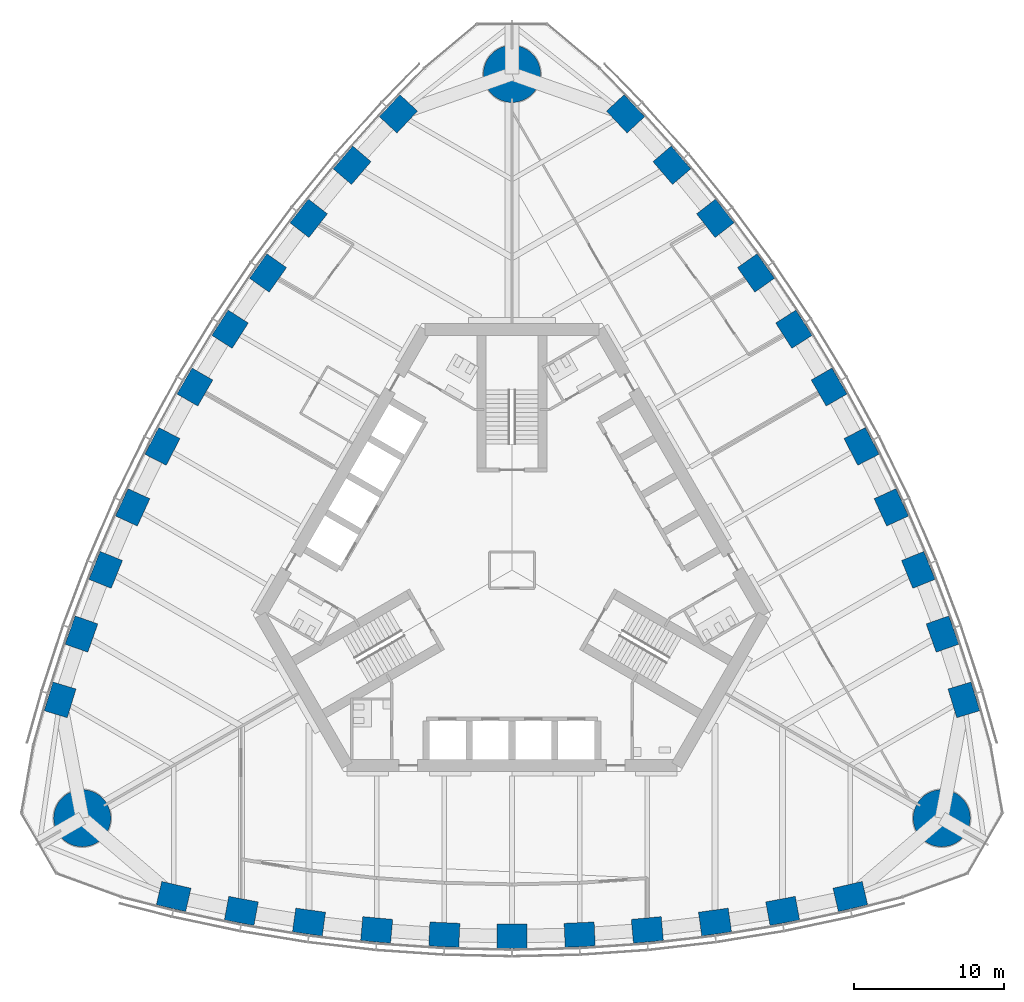
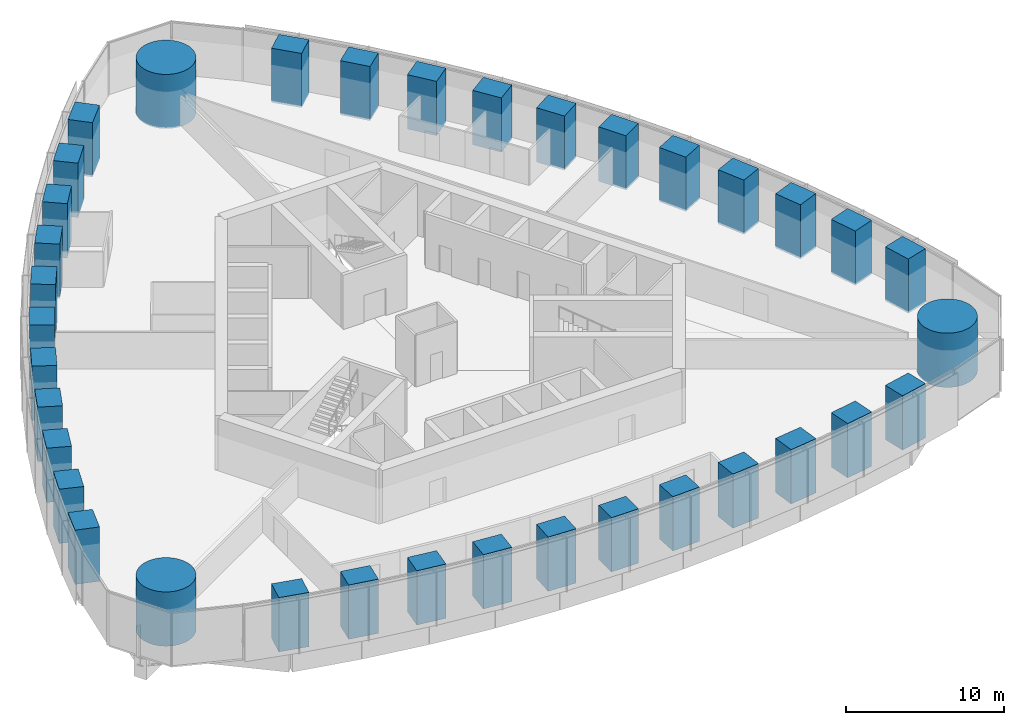
# One storey, part 1 of 18: 36 columns.
"""IFC4 building model written with IfcOpenShell, lengths in metres."""

from ifc_helpers import new_model, si_unit, direction, frame, origin, origin_2d, place, context, subcontext, project, spatial, rectangle, circle, extrude, material, material_profile, profile_set, type_object, element, save


model = new_model("IFC4")

# Units and contexts
model_context = context("Model", 3, precision=1e-05, world=origin(), true_north=direction((0.0, 1.0)))
body_context = subcontext(model_context, "Body", "Model", "MODEL_VIEW")
ifc_project = project(units=[si_unit("LENGTHUNIT", "METRE"), si_unit("AREAUNIT", "SQUARE_METRE"), si_unit("VOLUMEUNIT", "CUBIC_METRE"), si_unit("PLANEANGLEUNIT", "RADIAN"), si_unit("MASSUNIT", "GRAM", prefix="KILO")], contexts=[model_context])

# Site, building, storey
site_placement = place(None, origin())
site = spatial("IfcSite", under=ifc_project, at=site_placement, CompositionType="ELEMENT")
building_placement = place(site_placement, origin())
building = spatial("IfcBuilding", under=site, at=building_placement, Name="Trefoil Bronze Tower", CompositionType="ELEMENT")
storey_placement = place(building_placement, frame((0.0, 0.0, 198.10009765625)))
storey = spatial("IfcBuildingStorey", under=building, at=storey_placement, Name="L45", CompositionType="ELEMENT", Elevation=198.10009765625)

# Columns
ifc_material_1 = material(Name="Concrete B80", Category="concrete")
ifc_material_profile_1 = material_profile(ifc_material_1, circle(Radius=1.89990234375, at=origin_2d()), Name="RC D3800")
ifc_profile_set_1 = profile_set([ifc_material_profile_1], Name="Concrete B80")
column_type_1 = type_object("IfcColumnType", Name="Mega column RC D3800", PredefinedType="COLUMN", material=ifc_profile_set_1)
for number, where, z_axis, x_axis, name in (
    (1, (28.578857421875, -16.5, 0.0), (0.0, 0.0, 1.0), (1.0, 0.0, 0.0), "Mega column K1 L45"),
    (2, (0.0, 33.0, 0.0), (0.0, 0.0, 1.0), (1.0, 0.0, 0.0), "Mega column K2 L45"),
    (3, (-28.578857421875, -16.5, 0.0), (0.0, 0.0, 1.0), (1.0, 0.0, 0.0), "Mega column K3 L45"),
):
    element("IfcColumn", number, at=place(storey_placement, frame(where, z_axis=z_axis, x_axis=x_axis)), inside=storey, type_object=column_type_1, Name=name, PredefinedType="COLUMN", context=body_context, shape_type="SweptSolid", body=[
        extrude(circle(Radius=1.89990234375, at=origin_2d()), origin(), (0.0, 0.0, 1.0), 4.199951171875),
    ])
ifc_material_2 = material(Name="Concrete B80", Category="concrete")
ifc_material_profile_2 = material_profile(ifc_material_2, rectangle(XDim=2.0, YDim=1.60009765625, at=origin_2d()), Name="RC 2000x1600")
ifc_profile_set_2 = profile_set([ifc_material_profile_2], Name="Concrete B80")
column_type_2 = type_object("IfcColumnType", Name="Tube column RC 2000x1600", PredefinedType="COLUMN", material=ifc_profile_set_2)
for number, where, z_axis, x_axis, name in (
    (4, (-22.5, -21.71044921875, 0.0), (0.0, 0.0, 1.0), (0.973875487093, -0.227082662569, 0.0), "Tube column F1/-5 L45"),
    (5, (-18.0, -22.6689453125, 0.0), (0.0, 0.0, 1.0), (0.982958917767, -0.183825368167, 0.0), "Tube column F1/-4 L45"),
    (6, (-13.5, -23.408447265625, 0.0), (0.0, 0.0, 1.0), (0.990450627582, -0.137867887204, 0.0), "Tube column F1/-3 L45"),
    (7, (-9.0, -23.932861328125, 0.0), (0.0, 0.0, 1.0), (0.995767189263, -0.091911396394, 0.0), "Tube column F1/-2 L45"),
    (8, (-4.5, -24.246337890625, 0.0), (0.0, 0.0, 1.0), (0.998943485952, -0.045955542372, 0.0), "Tube column F1/-1 L45"),
    (9, (0.0, -24.3505859375, 0.0), (0.0, 0.0, 1.0), (1.0, 0.0, 0.0), "Tube column F1/+0 L45"),
    (10, (4.5, -24.246337890625, 0.0), (0.0, 0.0, 1.0), (0.998943485952, 0.045955542372, 0.0), "Tube column F1/+1 L45"),
    (11, (9.0, -23.932861328125, 0.0), (0.0, 0.0, 1.0), (0.995767189263, 0.091911396394, 0.0), "Tube column F1/+2 L45"),
    (12, (13.5, -23.408447265625, 0.0), (0.0, 0.0, 1.0), (0.990450627582, 0.137867887204, 0.0), "Tube column F1/+3 L45"),
    (13, (18.0, -22.6689453125, 0.0), (0.0, 0.0, 1.0), (0.982958917767, 0.183825368167, 0.0), "Tube column F1/+4 L45"),
    (14, (22.5, -21.71044921875, 0.0), (0.0, 0.0, 1.0), (0.973875487093, 0.227082662569, 0.0), "Tube column F1/+5 L45"),
    (15, (30.052001953125, -8.63037109375, 0.0), (0.0, 0.0, 1.0), (-0.290278389002, 0.95694224323, 0.0), "Tube column F2/-5 L45"),
    (16, (28.632080078125, -4.25390625, 0.0), (0.0, 0.0, 1.0), (-0.332282020191, 0.943180077746, 0.0), "Tube column F2/-4 L45"),
    (17, (27.022216796875, 0.012939453125, 0.0), (0.0, 0.0, 1.0), (-0.375828221106, 0.926689348282, 0.0), "Tube column F2/-3 L45"),
    (18, (25.2265625, 4.17236328125, 0.0), (0.0, 0.0, 1.0), (-0.418285990457, 0.908315380354, 0.0), "Tube column F2/-2 L45"),
    (19, (23.248046875, 8.22607421875, 0.0), (0.0, 0.0, 1.0), (-0.459673075837, 0.888088206965, 0.0), "Tube column F2/-1 L45"),
    (20, (21.08837890625, 12.17529296875, 0.0), (0.0, 0.0, 1.0), (-0.5, 0.866025403784, 0.0), "Tube column F2/+0 L45"),
    (21, (18.748046875, 16.020263671875, 0.0), (0.0, 0.0, 1.0), (-0.539270410114, 0.842132664593, 0.0), "Tube column F2/+1 L45"),
    (22, (16.2265625, 19.7607421875, 0.0), (0.0, 0.0, 1.0), (-0.577481198806, 0.81640398396, 0.0), "Tube column F2/+2 L45"),
    (23, (13.522216796875, 23.3955078125, 0.0), (0.0, 0.0, 1.0), (-0.614622406476, 0.788821461078, 0.0), "Tube column F2/+3 L45"),
    (24, (10.632080078125, 26.923095703125, 0.0), (0.0, 0.0, 1.0), (-0.650676897576, 0.75935470958, 0.0), "Tube column F2/+4 L45"),
    (25, (7.552001953125, 30.3408203125, 0.0), (0.0, 0.0, 1.0), (-0.683597098091, 0.729859580661, 0.0), "Tube column F2/+5 L45"),
    (26, (-7.552001953125, 30.3408203125, 0.0), (0.0, 0.0, 1.0), (-0.683597098091, -0.729859580661, 0.0), "Tube column F3/-5 L45"),
    (27, (-10.632080078125, 26.923095703125, 0.0), (0.0, 0.0, 1.0), (-0.650676897576, -0.75935470958, 0.0), "Tube column F3/-4 L45"),
    (28, (-13.522216796875, 23.3955078125, 0.0), (0.0, 0.0, 1.0), (-0.614622406476, -0.788821461078, 0.0), "Tube column F3/-3 L45"),
    (29, (-16.2265625, 19.7607421875, 0.0), (0.0, 0.0, 1.0), (-0.577481198806, -0.81640398396, 0.0), "Tube column F3/-2 L45"),
    (30, (-18.748046875, 16.020263671875, 0.0), (0.0, 0.0, 1.0), (-0.539270410114, -0.842132664593, 0.0), "Tube column F3/-1 L45"),
    (31, (-21.08837890625, 12.17529296875, 0.0), (0.0, 0.0, 1.0), (-0.5, -0.866025403784, 0.0), "Tube column F3/+0 L45"),
    (32, (-23.248046875, 8.22607421875, 0.0), (0.0, 0.0, 1.0), (-0.459673075837, -0.888088206965, 0.0), "Tube column F3/+1 L45"),
    (33, (-25.2265625, 4.17236328125, 0.0), (0.0, 0.0, 1.0), (-0.418285990457, -0.908315380354, 0.0), "Tube column F3/+2 L45"),
    (34, (-27.022216796875, 0.012939453125, 0.0), (0.0, 0.0, 1.0), (-0.375828221106, -0.926689348282, 0.0), "Tube column F3/+3 L45"),
    (35, (-28.632080078125, -4.25390625, 0.0), (0.0, 0.0, 1.0), (-0.332282020191, -0.943180077746, 0.0), "Tube column F3/+4 L45"),
    (36, (-30.052001953125, -8.63037109375, 0.0), (0.0, 0.0, 1.0), (-0.290278389002, -0.95694224323, 0.0), "Tube column F3/+5 L45"),
):
    element("IfcColumn", number, at=place(storey_placement, frame(where, z_axis=z_axis, x_axis=x_axis)), inside=storey, type_object=column_type_2, Name=name, PredefinedType="COLUMN", context=body_context, shape_type="SweptSolid", body=[
        extrude(rectangle(XDim=2.0, YDim=1.60009765625, at=origin_2d()), origin(), (0.0, 0.0, 1.0), 4.199951171875),
    ])

save(model, "model.ifc")
